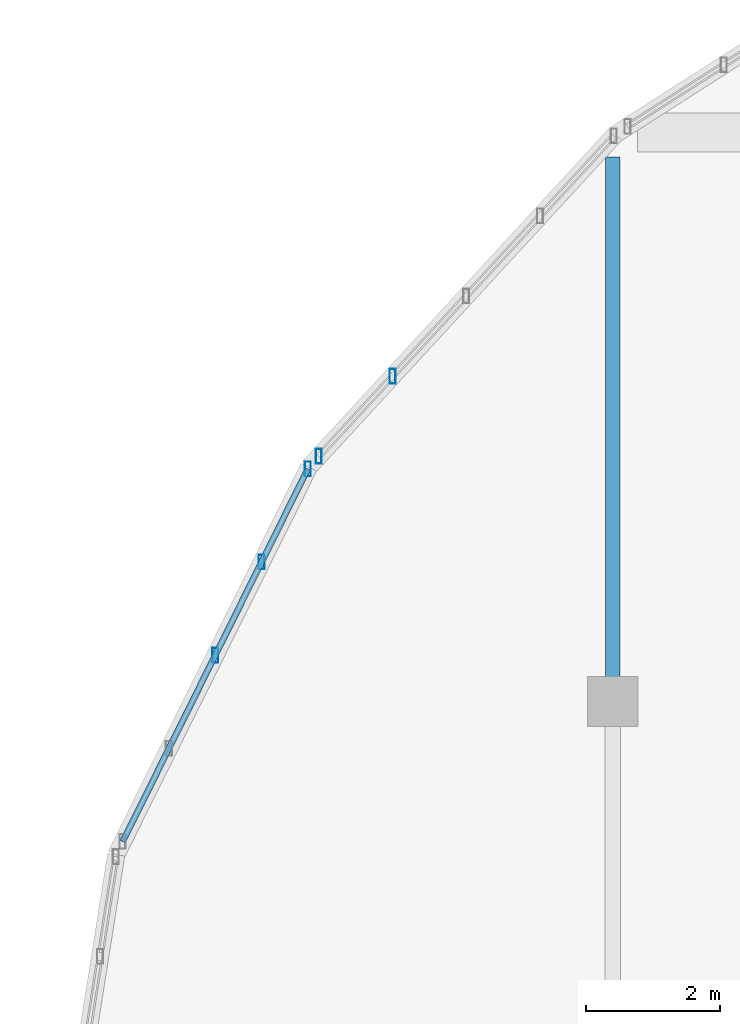
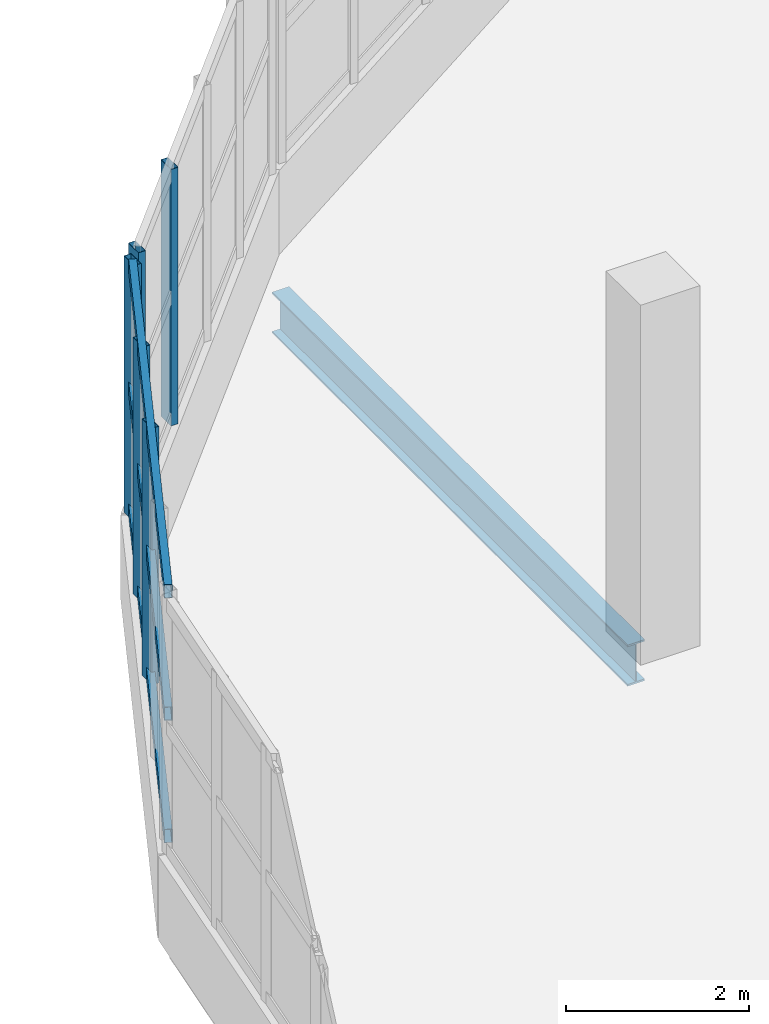
# One storey, part 12 of 77: 8 members, 1 beam, 2 elements without a shape of their own.
"""IFC4 building model written with IfcOpenShell, lengths in metres."""

import ifcopenshell
import ifcopenshell.guid

model = None  # the IFC model being written
_history = None  # IfcOwnerHistory: only IFC2X3 demands one
_inside = {}  # id of a spatial element -> (the spatial element, [elements in it])
_under = {}  # id of a project, library or spatial element -> (it, [spatial elements below it])
_declared = {}  # id of a project -> (the project, [libraries it declares])
_typed = {}  # id of a type object -> (the type object, [elements of that type])
_made_of = {}  # id of a material, layer set ... -> (it, [elements and type objects made of it])


def new_model(schema):
    """Start an empty IFC model of exactly this schema.

    Asked for "IFC4X3", IfcOpenShell would pick the latest addendum, in which some entities
    have other attributes; the version numbers below select the first issue.
    IFC2X3 requires an IfcOwnerHistory on every rooted entity: one is made here for all.
    """
    global model, _history
    if schema == "IFC4X3":
        model = ifcopenshell.file(schema_version=(4, 3, 0, 0))
    else:
        model = ifcopenshell.file(schema=schema)
    _inside.clear()
    _under.clear()
    _declared.clear()
    _typed.clear()
    _made_of.clear()
    _history = None
    if model.schema == "IFC2X3":
        org = make("IfcOrganization", Name="unknown")
        user = make(
            "IfcPersonAndOrganization",
            ThePerson=make("IfcPerson", FamilyName="unknown"),
            TheOrganization=org,
        )
        app = make(
            "IfcApplication",
            ApplicationDeveloper=org,
            Version="unknown",
            ApplicationFullName="unknown",
            ApplicationIdentifier="unknown",
        )
        _history = make(
            "IfcOwnerHistory",
            OwningUser=user,
            OwningApplication=app,
            ChangeAction="ADDED",
            CreationDate=0,
        )
    return model


def make(cls, **values):
    """One entity of the class cls with the attributes given. An attribute that is None is left unset."""
    return model.create_entity(
        cls, **{name: value for name, value in values.items() if value is not None}
    )


def rooted(cls, **values):
    """An entity with a GlobalId (a new one), such as an element, a storey or a relation."""
    return make(cls, GlobalId=ifcopenshell.guid.new(), OwnerHistory=_history, **values)


def si_unit(unit_type, name, prefix=None):
    """IfcSIUnit, for example si_unit("LENGTHUNIT", "METRE", prefix="MILLI")."""
    return make("IfcSIUnit", UnitType=unit_type, Prefix=prefix, Name=name)


def assignment(units):
    """IfcUnitAssignment: the units of a project."""
    return None if units is None else make("IfcUnitAssignment", Units=units)


def point(xyz):
    """IfcCartesianPoint."""
    return None if xyz is None else make("IfcCartesianPoint", Coordinates=xyz)


def direction(xyz):
    """IfcDirection."""
    return None if xyz is None else make("IfcDirection", DirectionRatios=xyz)


def frame(location, z_axis=None, x_axis=None):
    """IfcAxis2Placement3D, a coordinate frame: its origin and axes. An axis left out is left unset."""
    return make(
        "IfcAxis2Placement3D",
        Location=point(location),
        Axis=direction(z_axis),
        RefDirection=direction(x_axis),
    )


def frame_2d(location, x_axis=None):
    """IfcAxis2Placement2D, a coordinate frame in the plane: its origin and x axis."""
    return make(
        "IfcAxis2Placement2D", Location=point(location), RefDirection=direction(x_axis)
    )


def origin():
    """The frame at (0, 0, 0) with its axes left unset."""
    return frame((0.0, 0.0, 0.0))


def origin_2d():
    """The frame at (0, 0) in the plane with its x axis left unset."""
    return frame_2d((0.0, 0.0))


def place(relative_to, where):
    """IfcLocalPlacement: puts the frame where relative to a parent placement (None: the world)."""
    return make(
        "IfcLocalPlacement", PlacementRelTo=relative_to, RelativePlacement=where
    )


def context(
    kind, dimensions, precision=None, world=None, true_north=None, identifier=None
):
    """IfcGeometricRepresentationContext, for example the 3D "Model" context."""
    return make(
        "IfcGeometricRepresentationContext",
        ContextIdentifier=identifier,
        ContextType=kind,
        CoordinateSpaceDimension=dimensions,
        Precision=precision,
        WorldCoordinateSystem=world,
        TrueNorth=true_north,
    )


def subcontext(parent, identifier, kind, view, scale=None):
    """IfcGeometricRepresentationSubContext, for example "Body" below "Model"."""
    return make(
        "IfcGeometricRepresentationSubContext",
        ContextIdentifier=identifier,
        ContextType=kind,
        ParentContext=parent,
        TargetScale=scale,
        TargetView=view,
    )


def project(units=None, contexts=None):
    """IfcProject with its units and contexts."""
    return rooted(
        "IfcProject",
        Name="project",
        RepresentationContexts=contexts,
        UnitsInContext=assignment(units),
    )


def spatial(cls, under=None, at=None, **own):
    """A site, building, storey or space (cls), placed at a placement, below another one or the project."""
    s = rooted(cls, ObjectPlacement=at, **own)
    if under is not None:
        _under.setdefault(under.id(), (under, []))[1].append(s)
    return s


def profile(cls, at=None, kind="AREA", **sizes):
    """A parametric profile (cls). Its sizes go by their IFC names, for example OverallWidth=200.0."""
    return make(cls, ProfileType=kind, Position=at, **sizes)


def hollow_rectangle(**sizes):
    """IfcRectangleHollowProfileDef."""
    return profile("IfcRectangleHollowProfileDef", **sizes)


def i_section(**sizes):
    """IfcIShapeProfileDef."""
    return profile("IfcIShapeProfileDef", **sizes)


def extrude(swept, where, along, depth):
    """IfcExtrudedAreaSolid: the profile swept, set in the frame where, extruded along a direction by depth."""
    return make(
        "IfcExtrudedAreaSolid",
        SweptArea=swept,
        Position=where,
        ExtrudedDirection=direction(along),
        Depth=depth,
    )


def shape(context_of_items, identifier, shape_type, items):
    """IfcShapeRepresentation: the items that make up one representation, for example the "Body"."""
    return make(
        "IfcShapeRepresentation",
        ContextOfItems=context_of_items,
        RepresentationIdentifier=identifier,
        RepresentationType=shape_type,
        Items=items,
    )


def material(Name=None, Category=None):
    """IfcMaterial."""
    return make("IfcMaterial", Name=Name, Category=Category)


def material_profile(
    of_material, cross_section, Name=None, Category=None, Priority=None
):
    """IfcMaterialProfile: a cross section and its material."""
    return make(
        "IfcMaterialProfile",
        Name=Name,
        Material=of_material,
        Profile=cross_section,
        Priority=Priority,
        Category=Category,
    )


def profile_set(profiles, Name=None, composite=None):
    """IfcMaterialProfileSet."""
    return make(
        "IfcMaterialProfileSet",
        Name=Name,
        MaterialProfiles=profiles,
        CompositeProfile=composite,
    )


def made_of(thing, what):
    """Note that an element or type object is made of a material, layer set ...; save() writes the relation."""
    if what is not None:
        _made_of.setdefault(what.id(), (what, []))[1].append(thing)
    return thing


def type_object(cls, material=None, **own):
    """A type object (cls), such as IfcWallType, which elements share."""
    return made_of(rooted(cls, **own), material)


def element(
    cls,
    number,
    at=None,
    inside=None,
    cuts=None,
    type_object=None,
    material=None,
    context=None,
    identifier="Body",
    shape_type=None,
    held_by="IfcProductDefinitionShape",
    body=None,
    shapes=None,
    **own,
):
    """One element of the class cls, such as IfcWall. Its Tag is "e" and its number.

    at: its placement. inside: the storey or other place that contains it. cuts: it is an
    opening in that element (IfcRelVoidsElement). A single representation is given by context,
    identifier, shape_type and body (its items); several are given by shapes. held_by: the class
    of the entity that holds the representations. save() writes the other relations.
    """
    e = rooted(cls, Tag="e%d" % number, ObjectPlacement=at, **own)
    if body is not None:
        shapes = [shape(context, identifier, shape_type, body)]
    if shapes is not None:
        e.Representation = make(held_by, Representations=shapes)
    if inside is not None:
        _inside.setdefault(inside.id(), (inside, []))[1].append(e)
    if cuts is not None:
        rooted(
            "IfcRelVoidsElement", RelatingBuildingElement=cuts, RelatedOpeningElement=e
        )
    if type_object is not None:
        _typed.setdefault(type_object.id(), (type_object, []))[1].append(e)
    return made_of(e, material)


def aggregate(whole, parts):
    """IfcRelAggregates: a whole, such as a stair, and the parts it consists of."""
    return rooted("IfcRelAggregates", RelatingObject=whole, RelatedObjects=parts)


def save(model, path):
    """Write the relations noted so far, then the file.

    IfcRelAggregates (storeys below a building ...), IfcRelContainedInSpatialStructure (elements
    in a storey), IfcRelDefinesByType, IfcRelAssociatesMaterial and IfcRelDeclares: one each for
    every whole, place, type object, material and project.
    """
    for whole, parts in _under.values():
        aggregate(whole, parts)
    for where, things in _inside.values():
        rooted(
            "IfcRelContainedInSpatialStructure",
            RelatedElements=things,
            RelatingStructure=where,
        )
    for kind, things in _typed.values():
        rooted("IfcRelDefinesByType", RelatedObjects=things, RelatingType=kind)
    for what, things in _made_of.values():
        rooted("IfcRelAssociatesMaterial", RelatedObjects=things, RelatingMaterial=what)
    for by, libraries in _declared.values():
        rooted("IfcRelDeclares", RelatingContext=by, RelatedDefinitions=libraries)
    model.write(path)


model = new_model("IFC4")

# Units and contexts
model_context = context("Model", 3, precision=1e-05, world=origin(), true_north=direction((0.0, 1.0)))
body_context = subcontext(model_context, "Body", "Model", "MODEL_VIEW")
ifc_project = project(units=[si_unit("LENGTHUNIT", "METRE"), si_unit("AREAUNIT", "SQUARE_METRE"), si_unit("VOLUMEUNIT", "CUBIC_METRE"), si_unit("PLANEANGLEUNIT", "RADIAN"), si_unit("MASSUNIT", "GRAM", prefix="KILO")], contexts=[model_context])

# Site, building, storey
site_placement = place(None, origin())
site = spatial("IfcSite", under=ifc_project, at=site_placement, CompositionType="ELEMENT")
building_placement = place(site_placement, origin())
building = spatial("IfcBuilding", under=site, at=building_placement, Name="Solvento Point Concert Hall", CompositionType="ELEMENT")
storey_placement = place(building_placement, frame((0.0, 0.0, 10.199951171875)))
storey = spatial("IfcBuildingStorey", under=building, at=storey_placement, Name="L02", CompositionType="ELEMENT", Elevation=10.199951171875)

# Beam
ifc_material_1 = material(Name="Structural Steel ASTM A992 Grade 50", Category="steel")
ifc_material_profile_1 = material_profile(ifc_material_1, i_section(OverallWidth=0.214111328125, OverallDepth=0.549072265625, WebThickness=0.0146484375, FlangeThickness=0.023681640625, at=origin_2d()), Name="W21X93")
ifc_profile_set_1 = profile_set([ifc_material_profile_1], Name="Structural Steel ASTM A992 Grade 50")
beam_type = type_object("IfcBeamType", Name="Beam_W21X93", PredefinedType="BEAM", material=ifc_profile_set_1)
beam_placement = place(storey_placement, frame((40.800048828125, 42.868896484375, -0.54833984375), z_axis=(0.0, 1.0, 0.0), x_axis=(-1.0, 0.0, 0.0)))
element("IfcBeam", 1, at=beam_placement, inside=storey, type_object=beam_type, Name="Primary girder B-48 L02", PredefinedType="BEAM", context=body_context, shape_type="SweptSolid", body=[
    extrude(i_section(OverallWidth=0.214111328125, OverallDepth=0.549072265625, WebThickness=0.0146484375, FlangeThickness=0.023681640625, at=origin_2d()), origin(), (0.0, 0.0, 1.0), 7.76220703125),
])

# Curtain wall, members
ifc_material_2 = material(Name="Anodized Bronze Aluminium", Category="aluminium")
curtain_wall_type = type_object("IfcCurtainWallType", Name="CurtainWall_RingRibbon_L01_02", PredefinedType="USERDEFINED", material=ifc_material_2)
curtain_wall_1_placement = place(storey_placement, origin())
curtain_wall_1 = element("IfcCurtainWall", 2, at=curtain_wall_1_placement, inside=storey, type_object=curtain_wall_type, Name="Unitised curtain wall CW-59 UCW-L02-171", ObjectType="UNITISED CURTAIN WALL", PredefinedType="USERDEFINED")
ifc_material_3 = material(Name="Anodized Bronze Aluminium", Category="aluminium")
ifc_material_profile_2 = material_profile(ifc_material_3, hollow_rectangle(XDim=0.090087890625, YDim=0.219970703125, WallThickness=0.00439453125, at=origin_2d()), Name="CW-MUL-90X220")
ifc_profile_set_2 = profile_set([ifc_material_profile_2], Name="Anodized Bronze Aluminium")
member_type_1 = type_object("IfcMemberType", Name="Mullion_90x220", PredefinedType="MULLION", material=ifc_profile_set_2)
member_1_placement = place(storey_placement, frame((34.8623046875, 43.19091796875, 1.1201171875), z_axis=(0.0, 0.0, 1.0), x_axis=(1.0, 0.0, 0.0)))
member_1 = element("IfcMember", 3, at=member_1_placement, type_object=member_type_1, Name="Curtain wall mullion ML-02", PredefinedType="MULLION", context=body_context, shape_type="SweptSolid", body=[
    extrude(hollow_rectangle(XDim=0.090087890625, YDim=0.219970703125, WallThickness=0.00439453125, at=origin_2d()), origin(), (0.0, 0.0, 1.0), 3.419921875),
])
member_2_placement = place(storey_placement, frame((35.5537109375, 44.58203125, 1.1201171875), z_axis=(0.0, 0.0, 1.0), x_axis=(1.0, 0.0, 0.0)))
member_2 = element("IfcMember", 4, at=member_2_placement, type_object=member_type_1, Name="Curtain wall mullion ML-02", PredefinedType="MULLION", context=body_context, shape_type="SweptSolid", body=[
    extrude(hollow_rectangle(XDim=0.090087890625, YDim=0.219970703125, WallThickness=0.00439453125, at=origin_2d()), origin(), (0.0, 0.0, 1.0), 3.419921875),
])
member_3_placement = place(storey_placement, frame((36.2451171875, 45.97314453125, 1.1201171875), z_axis=(0.0, 0.0, 1.0), x_axis=(1.0, 0.0, 0.0)))
member_3 = element("IfcMember", 5, at=member_3_placement, type_object=member_type_1, Name="Curtain wall mullion ML-02", PredefinedType="MULLION", context=body_context, shape_type="SweptSolid", body=[
    extrude(hollow_rectangle(XDim=0.090087890625, YDim=0.219970703125, WallThickness=0.00439453125, at=origin_2d()), origin(), (0.0, 0.0, 1.0), 3.419921875),
])

curtain_wall_2_placement = place(storey_placement, origin())
curtain_wall_2 = element("IfcCurtainWall", 6, at=curtain_wall_2_placement, inside=storey, type_object=curtain_wall_type, Name="Unitised curtain wall CW-59 UCW-L02-172", ObjectType="UNITISED CURTAIN WALL", PredefinedType="USERDEFINED")
member_4_placement = place(storey_placement, frame((36.407470703125, 46.161865234375, 1.1201171875), z_axis=(0.0, 0.0, 1.0), x_axis=(1.0, 0.0, 0.0)))
member_4 = element("IfcMember", 7, at=member_4_placement, type_object=member_type_1, Name="Curtain wall mullion ML-02", PredefinedType="MULLION", context=body_context, shape_type="SweptSolid", body=[
    extrude(hollow_rectangle(XDim=0.090087890625, YDim=0.219970703125, WallThickness=0.00439453125, at=origin_2d()), origin(), (0.0, 0.0, 1.0), 3.419921875),
])
member_5_placement = place(storey_placement, frame((37.509521484375, 47.3583984375, 1.1201171875), z_axis=(0.0, 0.0, 1.0), x_axis=(1.0, 0.0, 0.0)))
member_5 = element("IfcMember", 8, at=member_5_placement, type_object=member_type_1, Name="Curtain wall mullion ML-02", PredefinedType="MULLION", context=body_context, shape_type="SweptSolid", body=[
    extrude(hollow_rectangle(XDim=0.090087890625, YDim=0.219970703125, WallThickness=0.00439453125, at=origin_2d()), origin(), (0.0, 0.0, 1.0), 3.419921875),
])
aggregate(curtain_wall_2, [member_4, member_5])

# Member
ifc_material_4 = material(Name="Anodized Bronze Aluminium", Category="aluminium")
ifc_material_profile_3 = material_profile(ifc_material_4, hollow_rectangle(XDim=0.090087890625, YDim=0.179931640625, WallThickness=0.00439453125, at=origin_2d()), Name="CW-TRN-90X180")
ifc_profile_set_3 = profile_set([ifc_material_profile_3], Name="Anodized Bronze Aluminium")
member_type_2 = type_object("IfcMemberType", Name="Transom_90x180", PredefinedType="USERDEFINED", material=ifc_profile_set_3)
member_6_placement = place(storey_placement, frame((33.479248046875, 40.40869140625, 1.199951171875), z_axis=(0.445106459014, 0.895477660327, 0.0), x_axis=(-0.895477660327, 0.445106459014, 0.0)))
member_6 = element("IfcMember", 9, at=member_6_placement, type_object=member_type_2, Name="Curtain wall transom TR-02", ObjectType="TRANSOM", PredefinedType="USERDEFINED", context=body_context, shape_type="SweptSolid", body=[
    extrude(hollow_rectangle(XDim=0.090087890625, YDim=0.179931640625, WallThickness=0.00439453125, at=origin_2d()), origin(), (0.0, 0.0, 1.0), 6.2138671875),
])

member_7_placement = place(storey_placement, frame((33.479248046875, 40.40869140625, 2.830078125), z_axis=(0.445106459014, 0.895477660327, 0.0), x_axis=(-0.895477660327, 0.445106459014, 0.0)))
member_7 = element("IfcMember", 10, at=member_7_placement, type_object=member_type_2, Name="Curtain wall transom TR-02", ObjectType="TRANSOM", PredefinedType="USERDEFINED", context=body_context, shape_type="SweptSolid", body=[
    extrude(hollow_rectangle(XDim=0.090087890625, YDim=0.179931640625, WallThickness=0.00439453125, at=origin_2d()), origin(), (0.0, 0.0, 1.0), 6.2138671875),
])

member_8_placement = place(storey_placement, frame((33.479248046875, 40.40869140625, 4.4599609375), z_axis=(0.445106459014, 0.895477660327, 0.0), x_axis=(-0.895477660327, 0.445106459014, 0.0)))
member_8 = element("IfcMember", 11, at=member_8_placement, type_object=member_type_2, Name="Curtain wall transom TR-02", ObjectType="TRANSOM", PredefinedType="USERDEFINED", context=body_context, shape_type="SweptSolid", body=[
    extrude(hollow_rectangle(XDim=0.090087890625, YDim=0.179931640625, WallThickness=0.00439453125, at=origin_2d()), origin(), (0.0, 0.0, 1.0), 6.2138671875),
])

aggregate(curtain_wall_1, [member_1, member_2, member_3, member_6, member_7, member_8])

save(model, "model.ifc")
